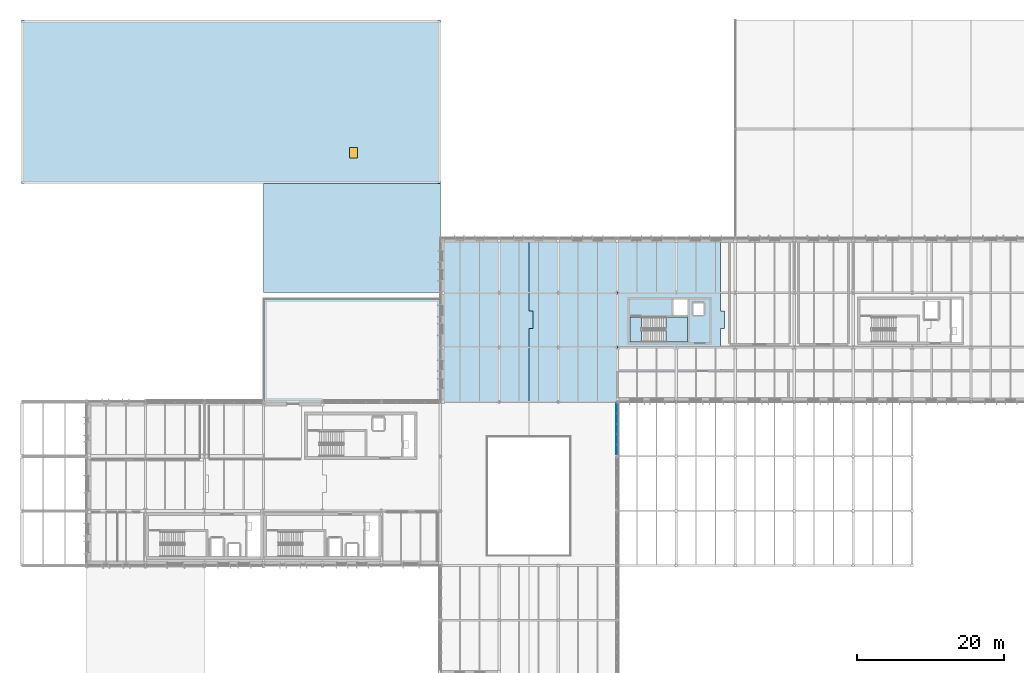
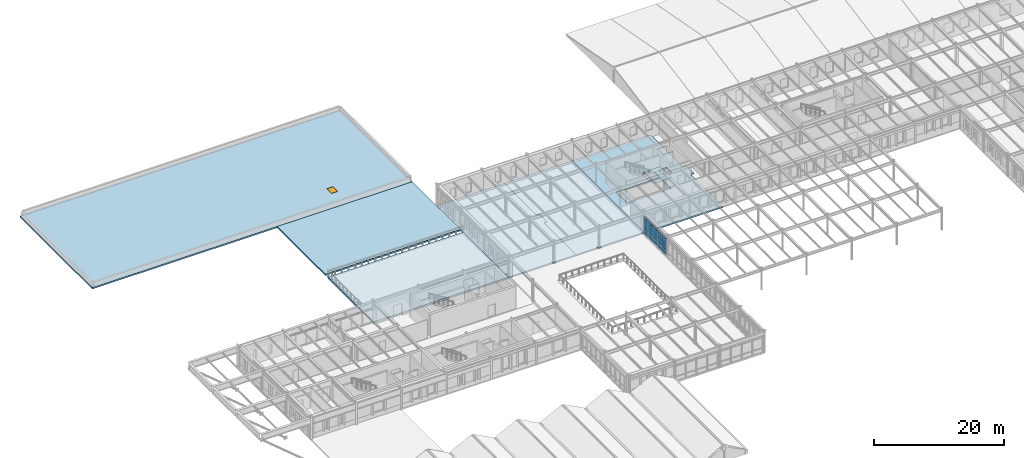
# One storey, part 32 of 63: 15 plates, 8 slabs, 1 window, 1 opening, 2 elements without a shape of their own.
"""IFC4 building model written with IfcOpenShell, lengths in metres."""

from ifc_helpers import new_model, si_unit, direction, frame, origin, origin_2d, place, context, subcontext, project, spatial, polyline, rectangle, outline, extrude, material, layer, layer_set, type_object, element, fill, aggregate, save


model = new_model("IFC4")

# Units and contexts
model_context = context("Model", 3, precision=1e-05, world=origin(), true_north=direction((0.0, 1.0)))
body_context = subcontext(model_context, "Body", "Model", "MODEL_VIEW")
ifc_project = project(units=[si_unit("LENGTHUNIT", "METRE"), si_unit("AREAUNIT", "SQUARE_METRE"), si_unit("VOLUMEUNIT", "CUBIC_METRE"), si_unit("PLANEANGLEUNIT", "RADIAN"), si_unit("MASSUNIT", "GRAM", prefix="KILO")], contexts=[model_context])

# Site, building, storey
site_placement = place(None, origin())
site = spatial("IfcSite", under=ifc_project, at=site_placement, CompositionType="ELEMENT")
building_placement = place(site_placement, origin())
building = spatial("IfcBuilding", under=site, at=building_placement, Name="Valkorina Park Police Headquarters", CompositionType="ELEMENT")
storey_placement = place(building_placement, frame((0.0, 0.0, 9.89990234375)))
storey = spatial("IfcBuildingStorey", under=building, at=storey_placement, Name="L03", CompositionType="ELEMENT", Elevation=9.89990234375)

# Curtain wall, plates
ifc_material_1 = material(Name="Thermally broken aluminium AW-6060", Category="aluminium")
ifc_layer_1 = layer(ifc_material_1, 0.18994140625)
ifc_layer_set_1 = layer_set([ifc_layer_1], Name="Thermally broken aluminium AW-6060")
curtain_wall_type = type_object("IfcCurtainWallType", Name="CW-V4-7020x3360", PredefinedType="NOTDEFINED", material=ifc_layer_set_1)
curtain_wall_placement = place(storey_placement, origin())
curtain_wall = element("IfcCurtainWall", 1, at=curtain_wall_placement, inside=storey, type_object=curtain_wall_type, Name="L03 Unitised Curtain Wall 020", PredefinedType="NOTDEFINED")
ifc_material_2 = material(Name="Triple low-E insulated glazing", Category="glass")
ifc_layer_2 = layer(ifc_material_2, 0.0380859375)
ifc_layer_set_2 = layer_set([ifc_layer_2], Name="Triple low-E insulated glazing")
plate_type_1 = type_object("IfcPlateType", Name="PL-CWP-ACOUST-38", PredefinedType="CURTAIN_PANEL", material=ifc_layer_set_2)
plate_1_placement = place(storey_placement, frame((80.679931640625, 58.289794921875, 0.93994140625), z_axis=(0.0, 0.0, 1.0), x_axis=(0.0, -1.0, 0.0)))
plate_1 = element("IfcPlate", 2, at=plate_1_placement, type_object=plate_type_1, Name="CW-V4-702-336 panel 1.2", PredefinedType="CURTAIN_PANEL", context=body_context, shape_type="SweptSolid", body=[
    extrude(rectangle(XDim=1.284912109375, YDim=0.0380859375, at=origin_2d()), origin(), (0.0, 0.0, 1.0), 1.860107421875),
])
plate_2_placement = place(storey_placement, frame((80.679931640625, 58.289794921875, 2.880126953125), z_axis=(0.0, 0.0, 1.0), x_axis=(0.0, -1.0, 0.0)))
plate_2 = element("IfcPlate", 3, at=plate_2_placement, type_object=plate_type_1, Name="CW-V4-702-336 panel 1.3", PredefinedType="CURTAIN_PANEL", context=body_context, shape_type="SweptSolid", body=[
    extrude(rectangle(XDim=1.284912109375, YDim=0.0380859375, at=origin_2d()), origin(), (0.0, 0.0, 1.0), 0.39990234375),
])
plate_3_placement = place(storey_placement, frame((80.679931640625, 56.90478515625, 0.93994140625), z_axis=(0.0, 0.0, 1.0), x_axis=(0.0, -1.0, 0.0)))
plate_3 = element("IfcPlate", 4, at=plate_3_placement, type_object=plate_type_1, Name="CW-V4-702-336 panel 2.2", PredefinedType="CURTAIN_PANEL", context=body_context, shape_type="SweptSolid", body=[
    extrude(rectangle(XDim=1.324951171875, YDim=0.0380859375, at=origin_2d()), origin(), (0.0, 0.0, 1.0), 1.860107421875),
])
plate_4_placement = place(storey_placement, frame((80.679931640625, 56.90478515625, 2.880126953125), z_axis=(0.0, 0.0, 1.0), x_axis=(0.0, -1.0, 0.0)))
plate_4 = element("IfcPlate", 5, at=plate_4_placement, type_object=plate_type_1, Name="CW-V4-702-336 panel 2.3", PredefinedType="CURTAIN_PANEL", context=body_context, shape_type="SweptSolid", body=[
    extrude(rectangle(XDim=1.324951171875, YDim=0.0380859375, at=origin_2d()), origin(), (0.0, 0.0, 1.0), 0.39990234375),
])
plate_5_placement = place(storey_placement, frame((80.679931640625, 55.5, 0.93994140625), z_axis=(0.0, 0.0, 1.0), x_axis=(0.0, -1.0, 0.0)))
plate_5 = element("IfcPlate", 6, at=plate_5_placement, type_object=plate_type_1, Name="CW-V4-702-336 panel 3.2", PredefinedType="CURTAIN_PANEL", context=body_context, shape_type="SweptSolid", body=[
    extrude(rectangle(XDim=1.324951171875, YDim=0.0380859375, at=origin_2d()), origin(), (0.0, 0.0, 1.0), 1.860107421875),
])
plate_6_placement = place(storey_placement, frame((80.679931640625, 55.5, 2.880126953125), z_axis=(0.0, 0.0, 1.0), x_axis=(0.0, -1.0, 0.0)))
plate_6 = element("IfcPlate", 7, at=plate_6_placement, type_object=plate_type_1, Name="CW-V4-702-336 panel 3.3", PredefinedType="CURTAIN_PANEL", context=body_context, shape_type="SweptSolid", body=[
    extrude(rectangle(XDim=1.324951171875, YDim=0.0380859375, at=origin_2d()), origin(), (0.0, 0.0, 1.0), 0.39990234375),
])
plate_7_placement = place(storey_placement, frame((80.679931640625, 54.09521484375, 0.93994140625), z_axis=(0.0, 0.0, 1.0), x_axis=(0.0, -1.0, 0.0)))
plate_7 = element("IfcPlate", 8, at=plate_7_placement, type_object=plate_type_1, Name="CW-V4-702-336 panel 4.2", PredefinedType="CURTAIN_PANEL", context=body_context, shape_type="SweptSolid", body=[
    extrude(rectangle(XDim=1.324951171875, YDim=0.0380859375, at=origin_2d()), origin(), (0.0, 0.0, 1.0), 1.860107421875),
])
plate_8_placement = place(storey_placement, frame((80.679931640625, 54.09521484375, 2.880126953125), z_axis=(0.0, 0.0, 1.0), x_axis=(0.0, -1.0, 0.0)))
plate_8 = element("IfcPlate", 9, at=plate_8_placement, type_object=plate_type_1, Name="CW-V4-702-336 panel 4.3", PredefinedType="CURTAIN_PANEL", context=body_context, shape_type="SweptSolid", body=[
    extrude(rectangle(XDim=1.324951171875, YDim=0.0380859375, at=origin_2d()), origin(), (0.0, 0.0, 1.0), 0.39990234375),
])
plate_9_placement = place(storey_placement, frame((80.679931640625, 52.710205078125, 0.93994140625), z_axis=(0.0, 0.0, 1.0), x_axis=(0.0, -1.0, 0.0)))
plate_9 = element("IfcPlate", 10, at=plate_9_placement, type_object=plate_type_1, Name="CW-V4-702-336 panel 5.2", PredefinedType="CURTAIN_PANEL", context=body_context, shape_type="SweptSolid", body=[
    extrude(rectangle(XDim=1.284912109375, YDim=0.0380859375, at=origin_2d()), origin(), (0.0, 0.0, 1.0), 1.860107421875),
])
plate_10_placement = place(storey_placement, frame((80.679931640625, 52.710205078125, 2.880126953125), z_axis=(0.0, 0.0, 1.0), x_axis=(0.0, -1.0, 0.0)))
plate_10 = element("IfcPlate", 11, at=plate_10_placement, type_object=plate_type_1, Name="CW-V4-702-336 panel 5.3", PredefinedType="CURTAIN_PANEL", context=body_context, shape_type="SweptSolid", body=[
    extrude(rectangle(XDim=1.284912109375, YDim=0.0380859375, at=origin_2d()), origin(), (0.0, 0.0, 1.0), 0.39990234375),
])
ifc_layer_3 = layer(ifc_material_1, 0.06494140625)
ifc_layer_set_3 = layer_set([ifc_layer_3], Name="Thermally broken aluminium AW-6060")
plate_type_2 = type_object("IfcPlateType", Name="PL-CWP-INSUL-65", PredefinedType="CURTAIN_PANEL", material=ifc_layer_set_3)
plate_11_placement = place(storey_placement, frame((80.679931640625, 58.289794921875, 0.080078125), z_axis=(0.0, 0.0, 1.0), x_axis=(0.0, -1.0, 0.0)))
plate_11 = element("IfcPlate", 12, at=plate_11_placement, type_object=plate_type_2, Name="CW-V4-702-336 panel 1.1", PredefinedType="CURTAIN_PANEL", context=body_context, shape_type="SweptSolid", body=[
    extrude(rectangle(XDim=1.284912109375, YDim=0.0380859375, at=origin_2d()), origin(), (0.0, 0.0, 1.0), 0.780029296875),
])
plate_12_placement = place(storey_placement, frame((80.679931640625, 56.90478515625, 0.080078125), z_axis=(0.0, 0.0, 1.0), x_axis=(0.0, -1.0, 0.0)))
plate_12 = element("IfcPlate", 13, at=plate_12_placement, type_object=plate_type_2, Name="CW-V4-702-336 panel 2.1", PredefinedType="CURTAIN_PANEL", context=body_context, shape_type="SweptSolid", body=[
    extrude(rectangle(XDim=1.324951171875, YDim=0.0380859375, at=origin_2d()), origin(), (0.0, 0.0, 1.0), 0.780029296875),
])
plate_13_placement = place(storey_placement, frame((80.679931640625, 55.5, 0.080078125), z_axis=(0.0, 0.0, 1.0), x_axis=(0.0, -1.0, 0.0)))
plate_13 = element("IfcPlate", 14, at=plate_13_placement, type_object=plate_type_2, Name="CW-V4-702-336 panel 3.1", PredefinedType="CURTAIN_PANEL", context=body_context, shape_type="SweptSolid", body=[
    extrude(rectangle(XDim=1.324951171875, YDim=0.0380859375, at=origin_2d()), origin(), (0.0, 0.0, 1.0), 0.780029296875),
])
plate_14_placement = place(storey_placement, frame((80.679931640625, 54.09521484375, 0.080078125), z_axis=(0.0, 0.0, 1.0), x_axis=(0.0, -1.0, 0.0)))
plate_14 = element("IfcPlate", 15, at=plate_14_placement, type_object=plate_type_2, Name="CW-V4-702-336 panel 4.1", PredefinedType="CURTAIN_PANEL", context=body_context, shape_type="SweptSolid", body=[
    extrude(rectangle(XDim=1.324951171875, YDim=0.0380859375, at=origin_2d()), origin(), (0.0, 0.0, 1.0), 0.780029296875),
])
plate_15_placement = place(storey_placement, frame((80.679931640625, 52.710205078125, 0.080078125), z_axis=(0.0, 0.0, 1.0), x_axis=(0.0, -1.0, 0.0)))
plate_15 = element("IfcPlate", 16, at=plate_15_placement, type_object=plate_type_2, Name="CW-V4-702-336 panel 5.1", PredefinedType="CURTAIN_PANEL", context=body_context, shape_type="SweptSolid", body=[
    extrude(rectangle(XDim=1.284912109375, YDim=0.0380859375, at=origin_2d()), origin(), (0.0, 0.0, 1.0), 0.780029296875),
])
aggregate(curtain_wall, [plate_11, plate_1, plate_2, plate_12, plate_3, plate_4, plate_13, plate_5, plate_6, plate_14, plate_7, plate_8, plate_15, plate_9, plate_10])

# Stair, slab
ifc_material_3 = material(Name="Concrete C35/45", Category="concrete")
stair_type = type_object("IfcStairType", Name="ST-DOGLEG-160-42", PredefinedType="HALF_TURN_STAIR", material=ifc_material_3)
stair_placement = place(storey_placement, origin())
stair = element("IfcStair", 17, at=stair_placement, inside=storey, type_object=stair_type, Name="L03 Core C6 Protected Stair (ST-04)", PredefinedType="HALF_TURN_STAIR")
ifc_layer_4 = layer(ifc_material_3, 0.22998046875)
ifc_layer_set_4 = layer_set([ifc_layer_4], Name="Concrete C35/45")
slab_type_1 = type_object("IfcSlabType", Name="SL-LANDING-230", PredefinedType="LANDING", material=ifc_layer_set_4)
slab_1_placement = place(storey_placement, frame((0.0, 0.0, 1.8701171875)))
slab_1 = element("IfcSlab", 18, at=slab_1_placement, type_object=slab_type_1, Name="ST-04 landing 1", PredefinedType="LANDING", context=body_context, shape_type="SweptSolid", body=[
    extrude(outline(polyline([(87.39990234375, 67.300048828125), (90.300048828125, 67.300048828125), (90.300048828125, 70.699951171875), (87.39990234375, 70.699951171875), (87.39990234375, 67.300048828125)])), origin(), (0.0, 0.0, 1.0), 0.22998046875),
])
aggregate(stair, [slab_1])

# Slabs
ifc_layer_5 = layer(ifc_material_3, 0.260009765625)
ifc_layer_set_5 = layer_set([ifc_layer_5], Name="Concrete C35/45")
slab_type_2 = type_object("IfcSlabType", Name="SL-PODIUM-260", PredefinedType="FLOOR", material=ifc_layer_set_5)
slab_2_placement = place(storey_placement, frame((0.0, 0.0, -0.260009765625)))
element("IfcSlab", 19, at=slab_2_placement, inside=storey, type_object=slab_type_2, Name="L03 Structural Floor Slab 63", PredefinedType="FLOOR", context=body_context, shape_type="SweptSolid", body=[
    extrude(outline(polyline([(68.800048828125, 59.241943359375), (68.800048828125, 69.12109375), (69.35009765625, 69.12109375), (69.35009765625, 71.52099609375), (68.800048828125, 71.52099609375), (68.800048828125, 81.39990234375), (56.800048828125, 81.39990234375), (56.800048828125, 59.241943359375), (68.800048828125, 59.241943359375)])), origin(), (0.0, 0.0, 1.0), 0.260009765625),
])
slab_3_placement = place(storey_placement, frame((0.0, 0.0, -0.260009765625)))
element("IfcSlab", 20, at=slab_3_placement, inside=storey, type_object=slab_type_2, Name="L03 Structural Floor Slab 64", PredefinedType="FLOOR", context=body_context, shape_type="SweptSolid", body=[
    extrude(outline(polyline([(68.800048828125, 81.39990234375), (68.800048828125, 71.52099609375), (69.35009765625, 71.52099609375), (69.35009765625, 69.12109375), (68.800048828125, 69.12109375), (68.800048828125, 59.241943359375), (80.800048828125, 59.241943359375), (80.800048828125, 81.39990234375), (68.800048828125, 81.39990234375)])), origin(), (0.0, 0.0, 1.0), 0.260009765625),
])
slab_4_placement = place(storey_placement, frame((0.0, 0.0, -0.260009765625)))
element("IfcSlab", 21, at=slab_4_placement, inside=storey, type_object=slab_type_2, Name="L03 Structural Floor Slab 65", PredefinedType="FLOOR", context=body_context, shape_type="SweptSolid", body=[
    extrude(outline(polyline([(94.800048828125, 59.241943359375), (94.800048828125, 69.12109375), (95.35009765625, 69.12109375), (95.35009765625, 71.52099609375), (94.800048828125, 71.52099609375), (94.800048828125, 81.39990234375), (80.800048828125, 81.39990234375), (80.800048828125, 59.241943359375), (94.800048828125, 59.241943359375)]), holes=[polyline([(82.5, 67.300048828125), (82.5, 70.699951171875), (90.300048828125, 70.699951171875), (90.300048828125, 67.300048828125), (82.5, 67.300048828125)]), polyline([(91.10009765625, 71.0), (91.10009765625, 72.60009765625), (92.5, 72.60009765625), (92.5, 71.0), (91.10009765625, 71.0)]), polyline([(88.39990234375, 70.97998046875), (88.39990234375, 73.10009765625), (90.300048828125, 73.10009765625), (90.300048828125, 70.97998046875), (88.39990234375, 70.97998046875)])]), origin(), (0.0, 0.0, 1.0), 0.260009765625),
])

# Slab, opening, window
ifc_layer_6 = layer(ifc_material_3, 0.280029296875)
ifc_layer_set_6 = layer_set([ifc_layer_6], Name="Concrete C35/45")
slab_type_3 = type_object("IfcSlabType", Name="SL-ROOF-FLAT-280", PredefinedType="ROOF", material=ifc_layer_set_6)
slab_5_placement = place(storey_placement, frame((0.0, 0.0, -0.27978515625)))
slab_5 = element("IfcSlab", 22, at=slab_5_placement, inside=storey, type_object=slab_type_3, Name="L03 Flat Roof Deck SLAB-L03-ROOF-V7-1", PredefinedType="ROOF", context=body_context, shape_type="SweptSolid", body=[
    extrude(outline(polyline([(56.800048828125, 88.800048828125), (56.800048828125, 111.0), (0.0, 111.0), (0.0, 88.800048828125), (56.800048828125, 88.800048828125)])), origin(), (0.0, 0.0, 1.0), 0.27978515625),
])
opening_placement = place(slab_5_placement, frame((45.0, 93.0, -0.010009765625)))
opening = element("IfcOpeningElement", 23, at=opening_placement, cuts=slab_5, Name="Opening SK-06", PredefinedType="OPENING", context=body_context, shape_type="SweptSolid", body=[
    extrude(rectangle(XDim=1.10009765625, YDim=1.39990234375, at=origin_2d()), origin(), (0.0, 0.0, 1.0), 0.2998046875),
])
ifc_layer_7 = layer(ifc_material_1, 0.06005859375)
ifc_layer_set_7 = layer_set([ifc_layer_7], Name="Thermally broken aluminium AW-6060")
window_type = type_object("IfcWindowType", Name="SK-HATCH-1100x1400", PartitioningType="SINGLE_PANEL", PredefinedType="SKYLIGHT", material=ifc_layer_set_7)
window_placement = place(slab_5_placement, frame((45.0, 93.0, 0.229736328125)))
window = element("IfcWindow", 24, at=window_placement, inside=storey, type_object=window_type, Name="L03 Roof Skylight and Hatch 1", OverallHeight=1.39990234375, OverallWidth=1.10009765625, PartitioningType="SINGLE_PANEL", PredefinedType="SKYLIGHT", context=body_context, shape_type="SweptSolid", body=[
    extrude(rectangle(XDim=1.10009765625, YDim=1.39990234375, at=origin_2d()), origin(), (0.0, 0.0, 1.0), 0.050048828125),
])
fill(opening, window)

# Slabs
slab_6_placement = place(storey_placement, frame((0.0, 0.0, -0.27978515625)))
element("IfcSlab", 25, at=slab_6_placement, inside=storey, type_object=slab_type_3, Name="L03 Flat Roof Deck SLAB-L03-ROOF-V7-2", PredefinedType="ROOF", context=body_context, shape_type="SweptSolid", body=[
    extrude(outline(polyline([(56.800048828125, 74.0), (56.800048828125, 88.800048828125), (32.800048828125, 88.800048828125), (32.800048828125, 74.0), (56.800048828125, 74.0)])), origin(), (0.0, 0.0, 1.0), 0.27978515625),
])
ifc_layer_8 = layer(ifc_material_3, 0.330078125)
ifc_layer_set_8 = layer_set([ifc_layer_8], Name="Concrete C35/45")
slab_type_4 = type_object("IfcSlabType", Name="SL-TERRACE-EXT-350", PredefinedType="FLOOR", material=ifc_layer_set_8)
slab_7_placement = place(storey_placement, frame((0.0, 0.0, -0.329833984375)))
element("IfcSlab", 26, at=slab_7_placement, inside=storey, type_object=slab_type_4, Name="L03 Staff Planted Podium Terrace", PredefinedType="FLOOR", context=body_context, shape_type="SweptSolid", body=[
    extrude(outline(polyline([(32.800048828125, 59.241943359375), (56.800048828125, 59.241943359375), (56.800048828125, 73.199951171875), (32.800048828125, 73.199951171875), (32.800048828125, 59.241943359375)])), origin(), (0.0, 0.0, 1.0), 0.329833984375),
])
ifc_material_4 = material(Name="Concrete C40/50", Category="concrete")
ifc_layer_9 = layer(ifc_material_4, 0.300048828125)
ifc_layer_set_9 = layer_set([ifc_layer_9], Name="Concrete C40/50")
slab_type_5 = type_object("IfcSlabType", Name="SL-VAULT-300", PredefinedType="FLOOR", material=ifc_layer_set_9)
slab_8_placement = place(storey_placement, frame((0.0, 0.0, -0.2998046875)))
element("IfcSlab", 27, at=slab_8_placement, inside=storey, type_object=slab_type_5, Name="L03 Core C6 Structural Floor Landing Slab", PredefinedType="FLOOR", context=body_context, shape_type="SweptSolid", body=[
    extrude(outline(polyline([(82.5, 67.300048828125), (84.10009765625, 67.300048828125), (84.10009765625, 70.699951171875), (82.5, 70.699951171875), (82.5, 67.300048828125)])), origin(), (0.0, 0.0, 1.0), 0.2998046875),
])

save(model, "model.ifc")
